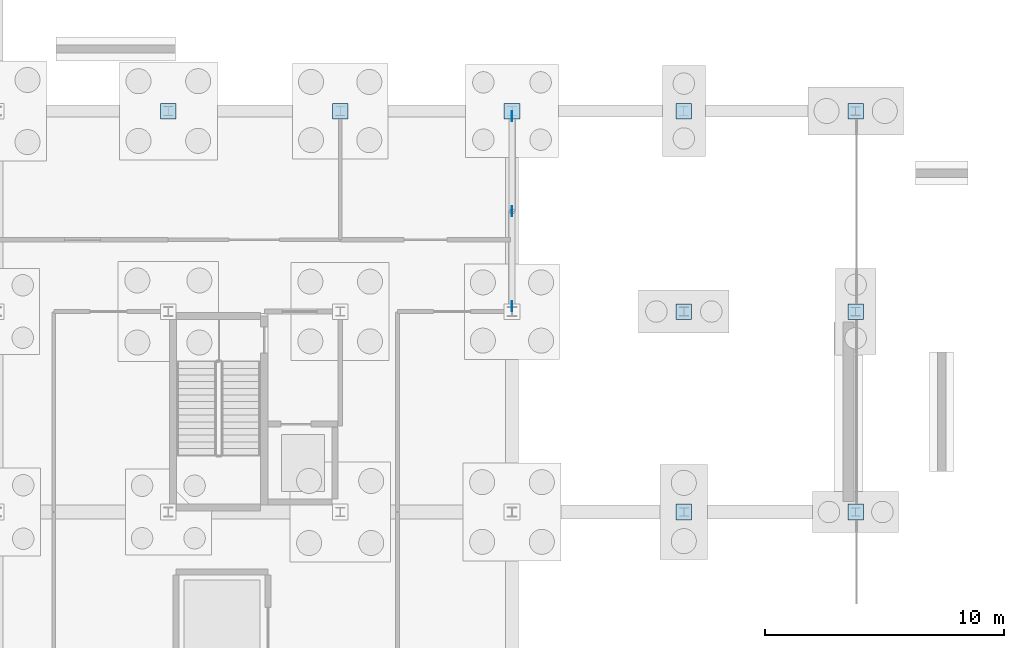
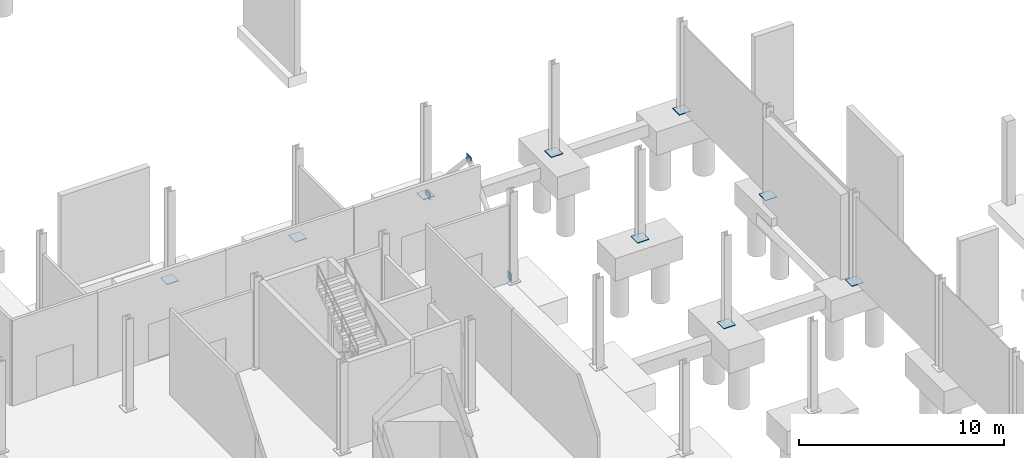
# One storey, part 41 of 61: 12 plates.
"""IFC4 building model written with IfcOpenShell, lengths in metres."""

from ifc_helpers import new_model, si_unit, direction, frame, origin, origin_2d, place, context, subcontext, project, spatial, rectangle, extrude, material, layer, layer_set, type_object, element, save


model = new_model("IFC4")

# Units and contexts
model_context = context("Model", 3, precision=1e-05, world=origin(), true_north=direction((0.0, 1.0)))
body_context = subcontext(model_context, "Body", "Model", "MODEL_VIEW")
ifc_project = project(units=[si_unit("LENGTHUNIT", "METRE"), si_unit("AREAUNIT", "SQUARE_METRE"), si_unit("VOLUMEUNIT", "CUBIC_METRE"), si_unit("PLANEANGLEUNIT", "RADIAN"), si_unit("MASSUNIT", "GRAM", prefix="KILO")], contexts=[model_context])

# Site, building, storey
site_placement = place(None, origin())
site = spatial("IfcSite", under=ifc_project, at=site_placement, CompositionType="ELEMENT")
building_placement = place(site_placement, origin())
building = spatial("IfcBuilding", under=site, at=building_placement, Name="Calvrana Isthmian Art Gallery", CompositionType="ELEMENT")
storey_placement = place(building_placement, frame((0.0, 0.0, -5.39990234375)))
storey = spatial("IfcBuildingStorey", under=building, at=storey_placement, Name="B1", CompositionType="ELEMENT", Elevation=-5.39990234375)

# Plates
ifc_material = material(Name="Steel ASTM A572 Gr 50", Category="steel")
ifc_layer_1 = layer(ifc_material, 0.0380859375, Name="Steel ASTM A572 Gr 50")
ifc_layer_set_1 = layer_set([ifc_layer_1], Name="Steel ASTM A572 Gr 50")
plate_type_1 = type_object("IfcPlateType", Name="PL-BASE-38", PredefinedType="USERDEFINED", material=ifc_layer_set_1)
for number, where, z_axis, x_axis, name in (
    (1, (148.800048828125, 30.0, -0.000244140625), (0.0, 0.0, 1.0), (1.0, 0.0, 0.0), "Base plate 20/E"),
    (2, (148.800048828125, 38.39990234375, -0.000244140625), (0.0, 0.0, 1.0), (1.0, 0.0, 0.0), "Base plate 20/F"),
    (3, (148.800048828125, 46.800048828125, -0.000244140625), (0.0, 0.0, 1.0), (1.0, 0.0, 0.0), "Base plate 20/G"),
    (4, (156.0, 30.0, -0.000244140625), (0.0, 0.0, 1.0), (1.0, 0.0, 0.0), "Base plate 21/E"),
    (5, (156.0, 38.39990234375, -0.000244140625), (0.0, 0.0, 1.0), (1.0, 0.0, 0.0), "Base plate 21/F"),
    (6, (156.0, 46.800048828125, -0.000244140625), (0.0, 0.0, 1.0), (1.0, 0.0, 0.0), "Base plate 21/G"),
):
    element("IfcPlate", number, at=place(storey_placement, frame(where, z_axis=z_axis, x_axis=x_axis)), inside=storey, type_object=plate_type_1, Name=name, ObjectType="BASE PLATE", PredefinedType="USERDEFINED", context=body_context, shape_type="SweptSolid", body=[
        extrude(rectangle(XDim=0.64990234375, YDim=0.64990234375, at=origin_2d()), origin(), (0.0, 0.0, 1.0), 0.0380859375),
    ])
ifc_layer_2 = layer(ifc_material, 0.044921875, Name="Steel ASTM A572 Gr 50")
ifc_layer_set_2 = layer_set([ifc_layer_2], Name="Steel ASTM A572 Gr 50")
plate_type_2 = type_object("IfcPlateType", Name="PL-BASE-45", PredefinedType="USERDEFINED", material=ifc_layer_set_2)
for number, where, z_axis, x_axis, name in (
    (7, (127.199951171875, 46.800048828125, 0.0), (0.0, 0.0, 1.0), (1.0, 0.0, 0.0), "Base plate 17/G"),
    (8, (134.39990234375, 46.800048828125, 0.0), (0.0, 0.0, 1.0), (1.0, 0.0, 0.0), "Base plate 18/G"),
    (9, (141.60009765625, 46.800048828125, 0.0), (0.0, 0.0, 1.0), (1.0, 0.0, 0.0), "Base plate 19/G"),
):
    element("IfcPlate", number, at=place(storey_placement, frame(where, z_axis=z_axis, x_axis=x_axis)), inside=storey, type_object=plate_type_2, Name=name, ObjectType="BASE PLATE", PredefinedType="USERDEFINED", context=body_context, shape_type="SweptSolid", body=[
        extrude(rectangle(XDim=0.64990234375, YDim=0.64990234375, at=origin_2d()), origin(), (0.0, 0.0, 1.0), 0.044921875),
    ])
ifc_layer_3 = layer(ifc_material, 0.031982421875, Name="Steel ASTM A572 Gr 50")
ifc_layer_set_3 = layer_set([ifc_layer_3], Name="Steel ASTM A572 Gr 50")
plate_type_3 = type_object("IfcPlateType", Name="PL-GUSSET-32", PredefinedType="USERDEFINED", material=ifc_layer_set_3)
for number, where, z_axis, x_axis, name in (
    (10, (141.60009765625, 38.6201171875, -0.06005859375), (0.0, 0.0, 1.0), (1.0, 0.0, 0.0), "Chevron brace gusset plate B1-6L"),
    (11, (141.60009765625, 42.60009765625, 4.51904296875), (0.0, 0.0, 1.0), (1.0, 0.0, 0.0), "Chevron brace gusset plate B1-6M"),
    (12, (141.60009765625, 46.580078125, -0.06005859375), (0.0, 0.0, 1.0), (1.0, 0.0, 0.0), "Chevron brace gusset plate B1-6R"),
):
    element("IfcPlate", number, at=place(storey_placement, frame(where, z_axis=z_axis, x_axis=x_axis)), inside=storey, type_object=plate_type_3, Name=name, ObjectType="GUSSET PLATE", PredefinedType="USERDEFINED", context=body_context, shape_type="SweptSolid", body=[
        extrude(rectangle(XDim=0.031982421875, YDim=0.419921875, at=origin_2d()), origin(), (0.0, 0.0, 1.0), 0.419921875),
    ])

save(model, "model.ifc")
